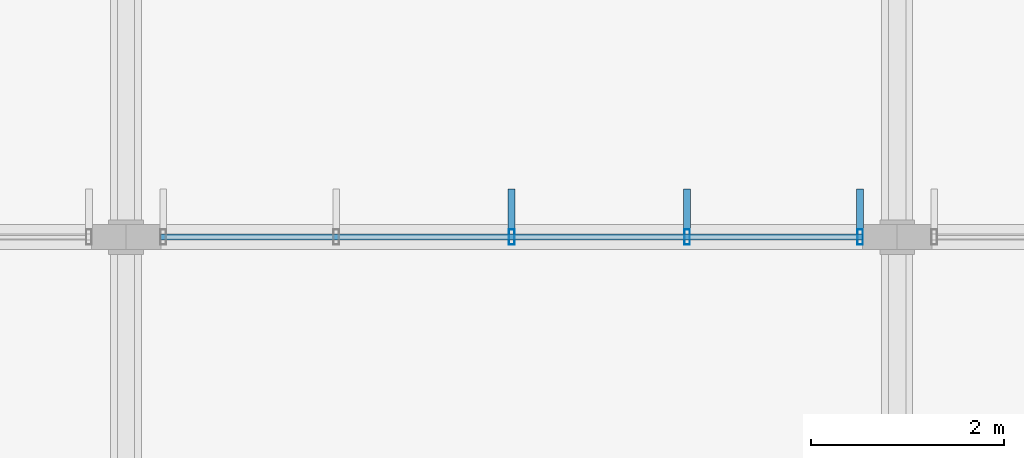
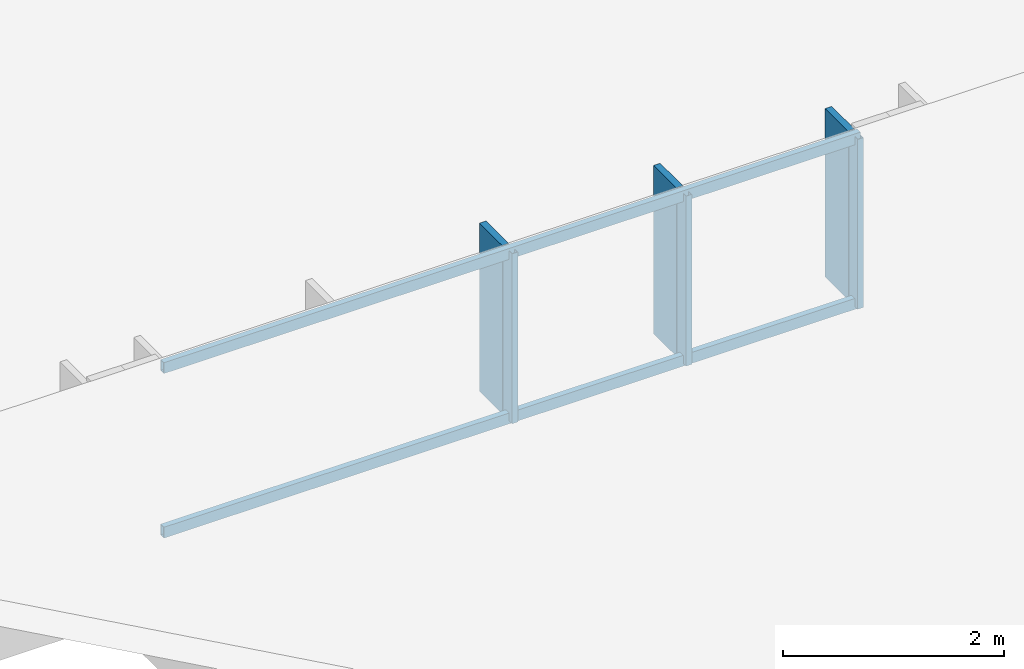
# One storey, part 35 of 94: 8 members, 1 element without a shape of its own.
"""IFC4 building model written with IfcOpenShell, lengths in metres."""

from ifc_helpers import new_model, si_unit, direction, frame, origin, origin_2d, place, context, subcontext, project, spatial, rectangle, hollow_rectangle, extrude, material, material_profile, profile_set, type_object, element, aggregate, save


model = new_model("IFC4")

# Units and contexts
model_context = context("Model", 3, precision=1e-05, world=origin(), true_north=direction((0.0, 1.0)))
body_context = subcontext(model_context, "Body", "Model", "MODEL_VIEW")
ifc_project = project(units=[si_unit("LENGTHUNIT", "METRE"), si_unit("AREAUNIT", "SQUARE_METRE"), si_unit("VOLUMEUNIT", "CUBIC_METRE"), si_unit("PLANEANGLEUNIT", "RADIAN"), si_unit("MASSUNIT", "GRAM", prefix="KILO")], contexts=[model_context])

# Site, building, storey
site_placement = place(None, origin())
site = spatial("IfcSite", under=ifc_project, at=site_placement, CompositionType="ELEMENT")
building_placement = place(site_placement, origin())
building = spatial("IfcBuilding", under=site, at=building_placement, Name="Chiffa Square Polytechnic", CompositionType="ELEMENT")
storey_placement = place(building_placement, frame((0.0, 0.0, 18.0)))
storey = spatial("IfcBuildingStorey", under=building, at=storey_placement, Name="L04", CompositionType="ELEMENT", Elevation=18.0)

# Curtain wall, members
ifc_material_1 = material(Name="Aluminium EN AW-6060 T66 and glulam shading", Category="wood")
curtain_wall_type = type_object("IfcCurtainWallType", Name="CW-VERT-600X440", PredefinedType="USERDEFINED", material=ifc_material_1)
curtain_wall_placement = place(storey_placement, origin())
curtain_wall = element("IfcCurtainWall", 1, at=curtain_wall_placement, inside=storey, type_object=curtain_wall_type, Name="Curtain wall CW-V6-SAW7-2", ObjectType="CURTAIN WALL", PredefinedType="USERDEFINED")
ifc_material_2 = material(Name="Aluminium EN AW-6060 T66", Category="aluminium")
ifc_material_profile_1 = material_profile(ifc_material_2, hollow_rectangle(XDim=0.06005859375, YDim=0.159912109375, WallThickness=0.00390625, at=origin_2d()), Name="ALU 60x160x4")
ifc_profile_set_1 = profile_set([ifc_material_profile_1], Name="Aluminium EN AW-6060 T66")
member_type_1 = type_object("IfcMemberType", Name="CWM-ALU-65X150", PredefinedType="MULLION", material=ifc_profile_set_1)
member_1_placement = place(storey_placement, frame((15.614990234375, 87.0, 0.699951171875), z_axis=(0.0, 0.0, 1.0), x_axis=(1.0, 0.0, 0.0)))
member_1 = element("IfcMember", 2, at=member_1_placement, type_object=member_type_1, Name="Curtain wall mullion CW-V6-SAW7-2-M00", PredefinedType="MULLION", context=body_context, shape_type="SweptSolid", body=[
    extrude(hollow_rectangle(XDim=0.06005859375, YDim=0.159912109375, WallThickness=0.00390625, at=origin_2d()), origin(), (0.0, 0.0, 1.0), 1.879150390625),
])
member_2_placement = place(storey_placement, frame((13.820068359375, 87.0, 0.699951171875), z_axis=(0.0, 0.0, 1.0), x_axis=(1.0, 0.0, 0.0)))
member_2 = element("IfcMember", 3, at=member_2_placement, type_object=member_type_1, Name="Curtain wall mullion CW-V6-SAW7-2-M01", PredefinedType="MULLION", context=body_context, shape_type="SweptSolid", body=[
    extrude(hollow_rectangle(XDim=0.06005859375, YDim=0.159912109375, WallThickness=0.00390625, at=origin_2d()), origin(), (0.0, 0.0, 1.0), 1.879150390625),
])
member_3_placement = place(storey_placement, frame((12.0, 87.0, 0.699951171875), z_axis=(0.0, 0.0, 1.0), x_axis=(1.0, 0.0, 0.0)))
member_3 = element("IfcMember", 4, at=member_3_placement, type_object=member_type_1, Name="Curtain wall mullion CW-V6-SAW7-2-M02", PredefinedType="MULLION", context=body_context, shape_type="SweptSolid", body=[
    extrude(hollow_rectangle(XDim=0.06005859375, YDim=0.159912109375, WallThickness=0.00390625, at=origin_2d()), origin(), (0.0, 0.0, 1.0), 1.879150390625),
])
ifc_material_3 = material(Name="Glulam GL28h", Category="wood")
ifc_material_profile_2 = material_profile(ifc_material_3, rectangle(XDim=0.070068359375, YDim=0.419921875, at=origin_2d()), Name="GL28h 70x420")
ifc_profile_set_2 = profile_set([ifc_material_profile_2], Name="Glulam GL28h")
member_type_2 = type_object("IfcMemberType", Name="CWM-GL-70X420", PredefinedType="MULLION", material=ifc_profile_set_2)
member_4_placement = place(storey_placement, frame((15.614990234375, 87.2919921875, 0.7099609375), z_axis=(0.0, 0.0, 1.0), x_axis=(-1.0, 0.0, 0.0)))
member_4 = element("IfcMember", 5, at=member_4_placement, type_object=member_type_2, Name="Exterior glulam solar fin CW-V6-SAW7-2-FN00", PredefinedType="MULLION", context=body_context, shape_type="SweptSolid", body=[
    extrude(rectangle(XDim=0.070068359375, YDim=0.419921875, at=origin_2d()), origin(), (0.0, 0.0, 1.0), 1.859130859375),
])
member_5_placement = place(storey_placement, frame((13.820068359375, 87.2919921875, 0.7099609375), z_axis=(0.0, 0.0, 1.0), x_axis=(-1.0, 0.0, 0.0)))
member_5 = element("IfcMember", 6, at=member_5_placement, type_object=member_type_2, Name="Exterior glulam solar fin CW-V6-SAW7-2-FN01", PredefinedType="MULLION", context=body_context, shape_type="SweptSolid", body=[
    extrude(rectangle(XDim=0.070068359375, YDim=0.419921875, at=origin_2d()), origin(), (0.0, 0.0, 1.0), 1.859130859375),
])
member_6_placement = place(storey_placement, frame((12.0, 87.2919921875, 0.7099609375), z_axis=(0.0, 0.0, 1.0), x_axis=(-1.0, 0.0, 0.0)))
member_6 = element("IfcMember", 7, at=member_6_placement, type_object=member_type_2, Name="Exterior glulam solar fin CW-V6-SAW7-2-FN02", PredefinedType="MULLION", context=body_context, shape_type="SweptSolid", body=[
    extrude(rectangle(XDim=0.070068359375, YDim=0.419921875, at=origin_2d()), origin(), (0.0, 0.0, 1.0), 1.859130859375),
])
ifc_material_profile_3 = material_profile(ifc_material_2, hollow_rectangle(XDim=0.06005859375, YDim=0.1201171875, WallThickness=0.00390625, at=origin_2d()), Name="ALU 60x120x4")
ifc_profile_set_3 = profile_set([ifc_material_profile_3], Name="Aluminium EN AW-6060 T66")
member_type_3 = type_object("IfcMemberType", Name="CWT-ALU-65X120", PredefinedType="USERDEFINED", material=ifc_profile_set_3)
member_7_placement = place(storey_placement, frame((15.64208984375, 87.0, 0.72998046875), z_axis=(-1.0, 0.0, 0.0), x_axis=(0.0, -1.0, 0.0)))
member_7 = element("IfcMember", 8, at=member_7_placement, type_object=member_type_3, Name="Curtain wall transom CW-V6-SAW7-2-T01", ObjectType="TRANSOM", PredefinedType="USERDEFINED", context=body_context, shape_type="SweptSolid", body=[
    extrude(hollow_rectangle(XDim=0.06005859375, YDim=0.1201171875, WallThickness=0.00390625, at=origin_2d()), origin(), (0.0, 0.0, 1.0), 7.2841796875),
])
member_8_placement = place(storey_placement, frame((15.64208984375, 87.0, 2.549072265625), z_axis=(-1.0, 0.0, 0.0), x_axis=(0.0, -1.0, 0.0)))
member_8 = element("IfcMember", 9, at=member_8_placement, type_object=member_type_3, Name="Curtain wall transom CW-V6-SAW7-2-T02", ObjectType="TRANSOM", PredefinedType="USERDEFINED", context=body_context, shape_type="SweptSolid", body=[
    extrude(hollow_rectangle(XDim=0.06005859375, YDim=0.1201171875, WallThickness=0.00390625, at=origin_2d()), origin(), (0.0, 0.0, 1.0), 7.2841796875),
])
aggregate(curtain_wall, [member_1, member_4, member_2, member_5, member_3, member_6, member_7, member_8])

save(model, "model.ifc")
